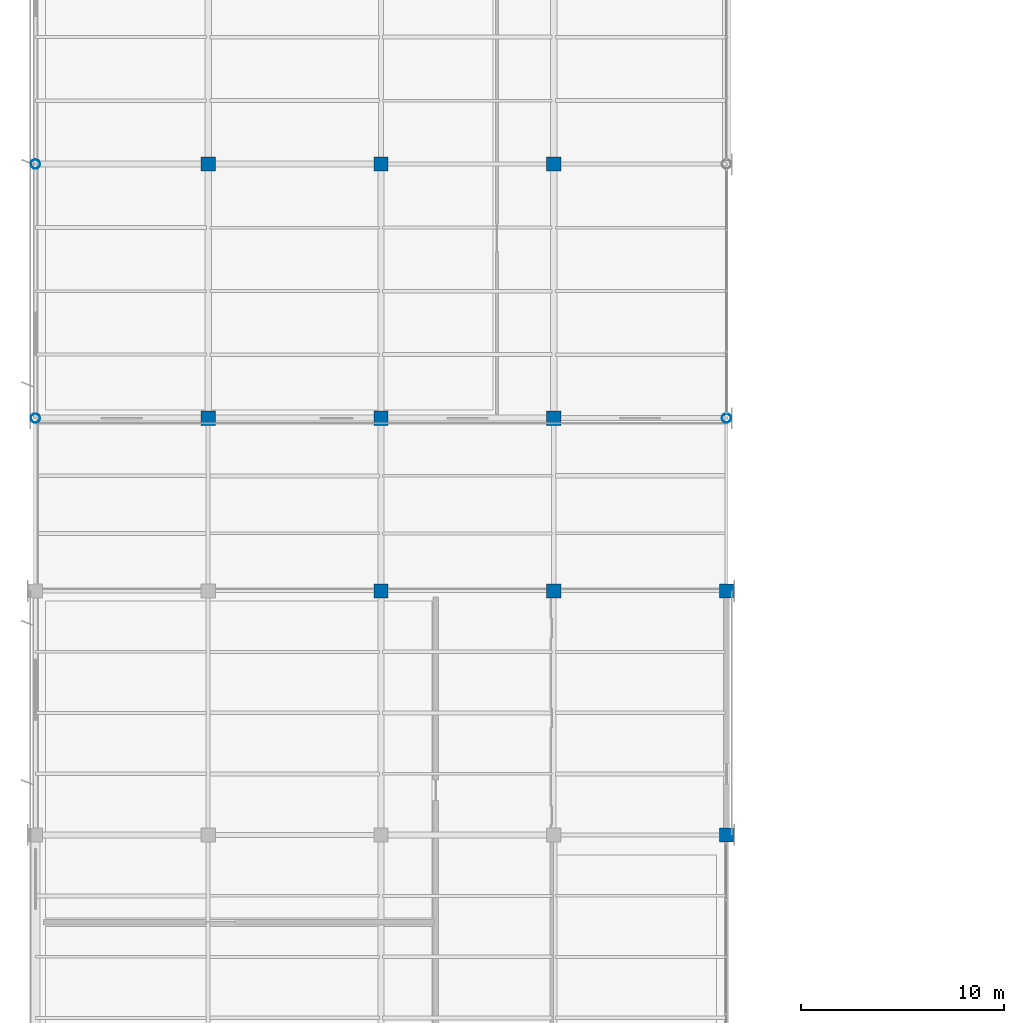
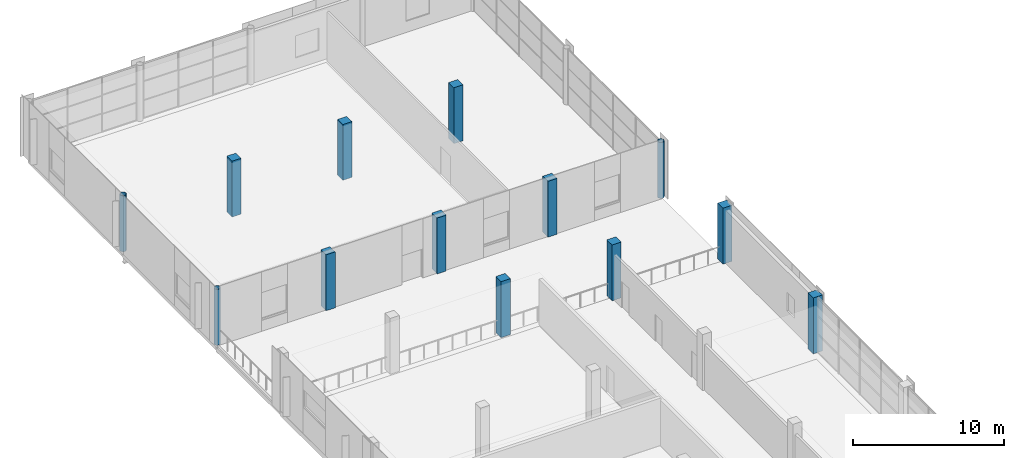
# One storey, part 4 of 101: 13 columns.
"""IFC4 building model written with IfcOpenShell, lengths in metres."""

from ifc_helpers import new_model, si_unit, direction, frame, origin, origin_2d, place, context, subcontext, project, spatial, rectangle, hollow_circle, extrude, material, material_profile, profile_set, type_object, element, save


model = new_model("IFC4")

# Units and contexts
model_context = context("Model", 3, precision=1e-05, world=origin(), true_north=direction((0.0, 1.0)))
body_context = subcontext(model_context, "Body", "Model", "MODEL_VIEW")
ifc_project = project(units=[si_unit("LENGTHUNIT", "METRE"), si_unit("AREAUNIT", "SQUARE_METRE"), si_unit("VOLUMEUNIT", "CUBIC_METRE"), si_unit("PLANEANGLEUNIT", "RADIAN"), si_unit("MASSUNIT", "GRAM", prefix="KILO")], contexts=[model_context])

# Site, building, storey
site_placement = place(None, origin())
site = spatial("IfcSite", under=ifc_project, at=site_placement, CompositionType="ELEMENT")
building_placement = place(site_placement, origin())
building = spatial("IfcBuilding", under=site, at=building_placement, Name="Solvikara Media Centre", CompositionType="ELEMENT")
storey_placement = place(building_placement, frame((0.0, 0.0, 10.199951171875)))
storey = spatial("IfcBuildingStorey", under=building, at=storey_placement, Name="L02", CompositionType="ELEMENT", Elevation=10.199951171875)

# Columns
ifc_material_1 = material(Name="Concrete fc' 45 MPa (C45/55)", Category="concrete")
ifc_material_profile_1 = material_profile(ifc_material_1, rectangle(XDim=0.699951171875, YDim=0.699951171875, at=origin_2d()), Name="RC 700x700")
ifc_profile_set_1 = profile_set([ifc_material_profile_1], Name="Concrete fc' 45 MPa (C45/55)")
column_type_1 = type_object("IfcColumnType", Name="CL-03", PredefinedType="COLUMN", material=ifc_profile_set_1)
for number, where, z_axis, x_axis, name in (
    (1, (8.5, 89.0, 0.0), (0.0, 0.0, 1.0), (1.0, 0.0, 0.0), "C-L02-0085-0890"),
    (2, (8.5, 101.5, 0.0), (0.0, 0.0, 1.0), (1.0, 0.0, 0.0), "C-L02-0085-1015"),
    (3, (17.0, 80.5, 0.0), (0.0, 0.0, 1.0), (1.0, 0.0, 0.0), "C-L02-0170-0805"),
    (4, (17.0, 89.0, 0.0), (0.0, 0.0, 1.0), (1.0, 0.0, 0.0), "C-L02-0170-0890"),
    (5, (17.0, 101.5, 0.0), (0.0, 0.0, 1.0), (1.0, 0.0, 0.0), "C-L02-0170-1015"),
    (6, (25.5, 80.5, 0.0), (0.0, 0.0, 1.0), (1.0, 0.0, 0.0), "C-L02-0255-0805"),
    (7, (25.5, 89.0, 0.0), (0.0, 0.0, 1.0), (1.0, 0.0, 0.0), "C-L02-0255-0890"),
    (8, (25.5, 101.5, 0.0), (0.0, 0.0, 1.0), (1.0, 0.0, 0.0), "C-L02-0255-1015"),
):
    element("IfcColumn", number, at=place(storey_placement, frame(where, z_axis=z_axis, x_axis=x_axis)), inside=storey, type_object=column_type_1, Name=name, PredefinedType="COLUMN", context=body_context, shape_type="SweptSolid", body=[
        extrude(rectangle(XDim=0.699951171875, YDim=0.699951171875, at=origin_2d()), origin(), (0.0, 0.0, 1.0), 4.530029296875),
    ])
ifc_material_profile_2 = material_profile(ifc_material_1, rectangle(XDim=0.699951171875, YDim=0.699951171875, at=origin_2d()), Name="RC 700x700")
ifc_profile_set_2 = profile_set([ifc_material_profile_2], Name="Concrete fc' 45 MPa (C45/55)")
column_type_2 = type_object("IfcColumnType", Name="CL-15", PredefinedType="COLUMN", material=ifc_profile_set_2)
column_1_placement = place(storey_placement, frame((34.0, 68.5, 0.0), z_axis=(0.0, 0.0, 1.0), x_axis=(1.0, 0.0, 0.0)))
element("IfcColumn", 9, at=column_1_placement, inside=storey, type_object=column_type_2, Name="C-L02-0340-0685", PredefinedType="COLUMN", context=body_context, shape_type="SweptSolid", body=[
    extrude(rectangle(XDim=0.699951171875, YDim=0.699951171875, at=origin_2d()), origin(), (0.0, 0.0, 1.0), 4.5400390625),
])
column_2_placement = place(storey_placement, frame((34.0, 80.5, 0.0), z_axis=(0.0, 0.0, 1.0), x_axis=(1.0, 0.0, 0.0)))
element("IfcColumn", 10, at=column_2_placement, inside=storey, type_object=column_type_2, Name="C-L02-0340-0805", PredefinedType="COLUMN", context=body_context, shape_type="SweptSolid", body=[
    extrude(rectangle(XDim=0.699951171875, YDim=0.699951171875, at=origin_2d()), origin(), (0.0, 0.0, 1.0), 4.530029296875),
])
ifc_material_2 = material(Name="Steel S355JR", Category="steel")
ifc_material_profile_3 = material_profile(ifc_material_2, hollow_circle(Radius=0.228515625, WallThickness=0.01611328125, at=origin_2d()), Name="CHS 457x16")
ifc_profile_set_3 = profile_set([ifc_material_profile_3], Name="Steel S355JR")
column_type_3 = type_object("IfcColumnType", Name="CL-26", PredefinedType="COLUMN", material=ifc_profile_set_3)
for number, where, z_axis, x_axis, name in (
    (11, (0.0, 89.0, 0.0), (0.0, 0.0, 1.0), (1.0, 0.0, 0.0), "C-L02-0000-0890"),
    (12, (0.0, 101.5, 0.0), (0.0, 0.0, 1.0), (1.0, 0.0, 0.0), "C-L02-0000-1015"),
    (13, (34.0, 89.0, 0.0), (0.0, 0.0, 1.0), (1.0, 0.0, 0.0), "C-L02-0340-0890"),
):
    element("IfcColumn", number, at=place(storey_placement, frame(where, z_axis=z_axis, x_axis=x_axis)), inside=storey, type_object=column_type_3, Name=name, PredefinedType="COLUMN", context=body_context, shape_type="SweptSolid", body=[
        extrude(hollow_circle(Radius=0.228515625, WallThickness=0.01611328125, at=origin_2d()), origin(), (0.0, 0.0, 1.0), 4.530029296875),
    ])

save(model, "model.ifc")
